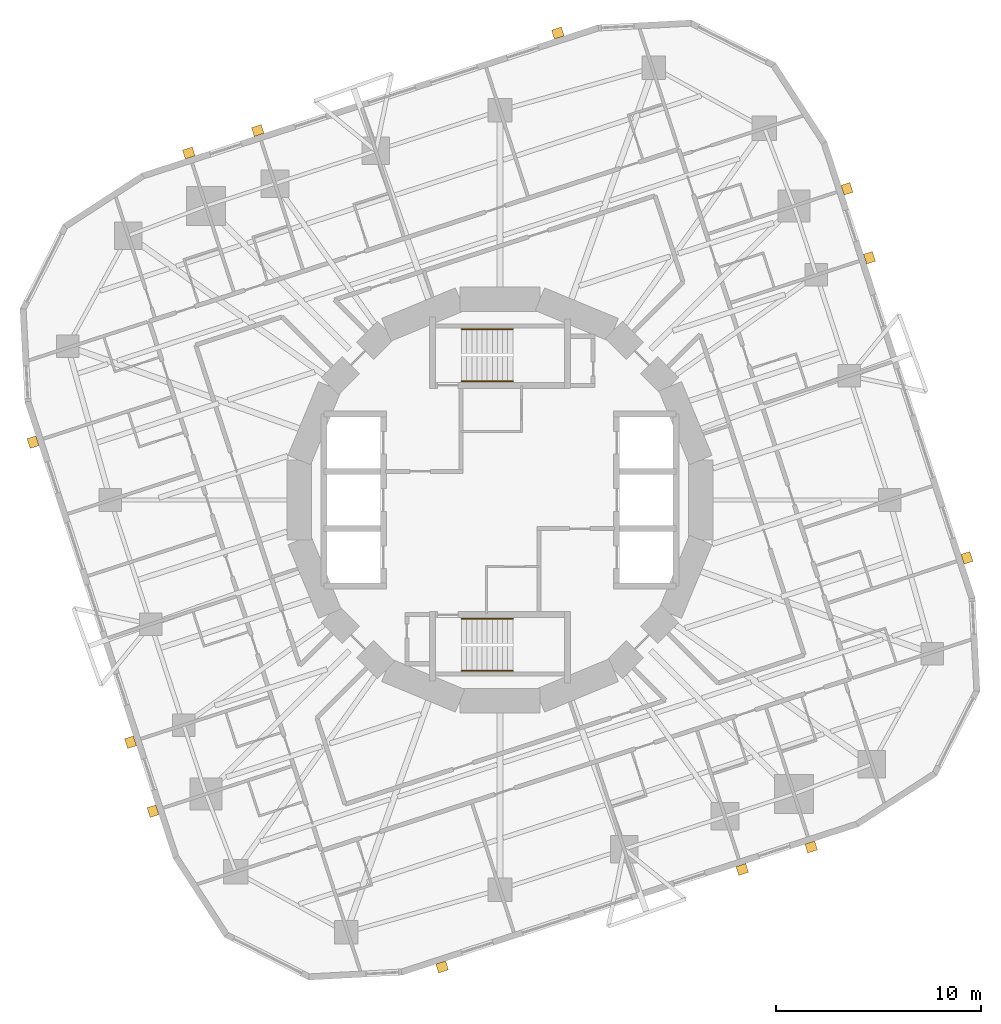
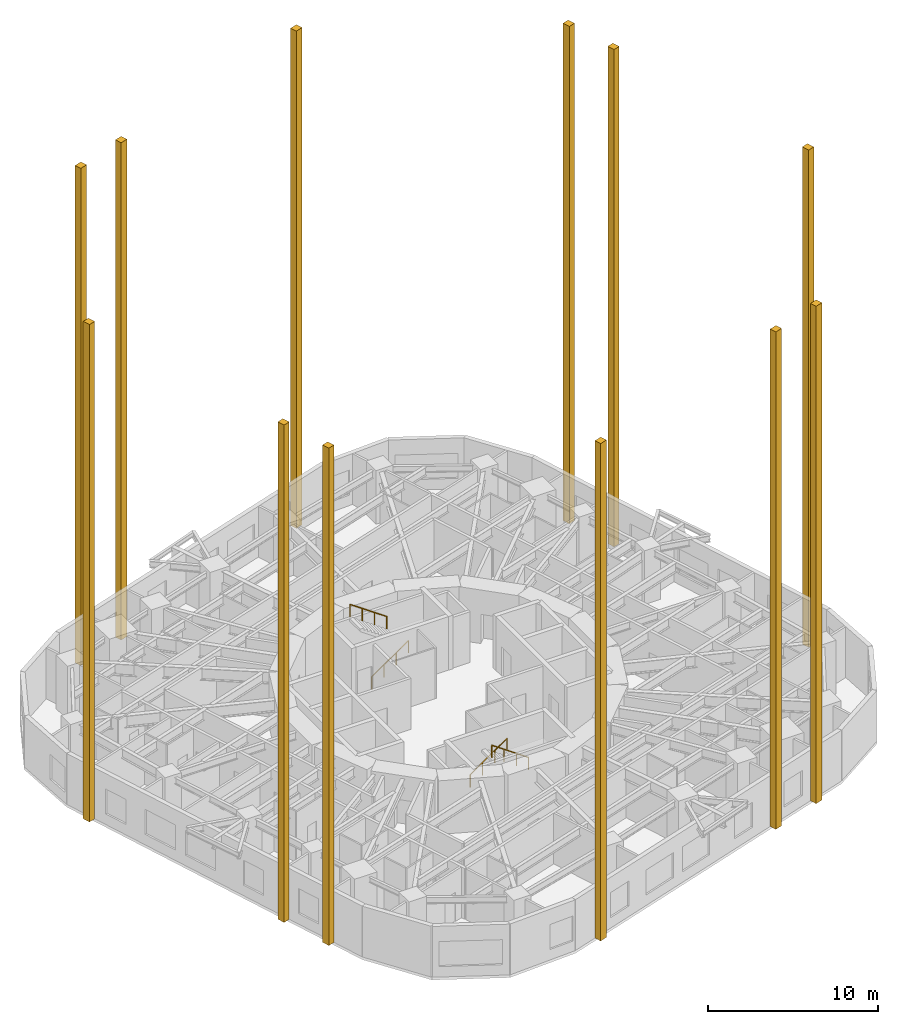
# One storey, part 10 of 10: 12 coverings, 4 railings.
"""IFC4 building model written with IfcOpenShell, lengths in metres."""

import ifcopenshell
import ifcopenshell.guid

model = None  # the IFC model being written
_history = None  # IfcOwnerHistory: only IFC2X3 demands one
_inside = {}  # id of a spatial element -> (the spatial element, [elements in it])
_under = {}  # id of a project, library or spatial element -> (it, [spatial elements below it])
_declared = {}  # id of a project -> (the project, [libraries it declares])
_typed = {}  # id of a type object -> (the type object, [elements of that type])
_made_of = {}  # id of a material, layer set ... -> (it, [elements and type objects made of it])


def new_model(schema):
    """Start an empty IFC model of exactly this schema.

    Asked for "IFC4X3", IfcOpenShell would pick the latest addendum, in which some entities
    have other attributes; the version numbers below select the first issue.
    IFC2X3 requires an IfcOwnerHistory on every rooted entity: one is made here for all.
    """
    global model, _history
    if schema == "IFC4X3":
        model = ifcopenshell.file(schema_version=(4, 3, 0, 0))
    else:
        model = ifcopenshell.file(schema=schema)
    _inside.clear()
    _under.clear()
    _declared.clear()
    _typed.clear()
    _made_of.clear()
    _history = None
    if model.schema == "IFC2X3":
        org = make("IfcOrganization", Name="unknown")
        user = make(
            "IfcPersonAndOrganization",
            ThePerson=make("IfcPerson", FamilyName="unknown"),
            TheOrganization=org,
        )
        app = make(
            "IfcApplication",
            ApplicationDeveloper=org,
            Version="unknown",
            ApplicationFullName="unknown",
            ApplicationIdentifier="unknown",
        )
        _history = make(
            "IfcOwnerHistory",
            OwningUser=user,
            OwningApplication=app,
            ChangeAction="ADDED",
            CreationDate=0,
        )
    return model


def make(cls, **values):
    """One entity of the class cls with the attributes given. An attribute that is None is left unset."""
    return model.create_entity(
        cls, **{name: value for name, value in values.items() if value is not None}
    )


def rooted(cls, **values):
    """An entity with a GlobalId (a new one), such as an element, a storey or a relation."""
    return make(cls, GlobalId=ifcopenshell.guid.new(), OwnerHistory=_history, **values)


def si_unit(unit_type, name, prefix=None):
    """IfcSIUnit, for example si_unit("LENGTHUNIT", "METRE", prefix="MILLI")."""
    return make("IfcSIUnit", UnitType=unit_type, Prefix=prefix, Name=name)


def assignment(units):
    """IfcUnitAssignment: the units of a project."""
    return None if units is None else make("IfcUnitAssignment", Units=units)


def point(xyz):
    """IfcCartesianPoint."""
    return None if xyz is None else make("IfcCartesianPoint", Coordinates=xyz)


def direction(xyz):
    """IfcDirection."""
    return None if xyz is None else make("IfcDirection", DirectionRatios=xyz)


def frame(location, z_axis=None, x_axis=None):
    """IfcAxis2Placement3D, a coordinate frame: its origin and axes. An axis left out is left unset."""
    return make(
        "IfcAxis2Placement3D",
        Location=point(location),
        Axis=direction(z_axis),
        RefDirection=direction(x_axis),
    )


def frame_2d(location, x_axis=None):
    """IfcAxis2Placement2D, a coordinate frame in the plane: its origin and x axis."""
    return make(
        "IfcAxis2Placement2D", Location=point(location), RefDirection=direction(x_axis)
    )


def origin():
    """The frame at (0, 0, 0) with its axes left unset."""
    return frame((0.0, 0.0, 0.0))


def origin_2d():
    """The frame at (0, 0) in the plane with its x axis left unset."""
    return frame_2d((0.0, 0.0))


def place(relative_to, where):
    """IfcLocalPlacement: puts the frame where relative to a parent placement (None: the world)."""
    return make(
        "IfcLocalPlacement", PlacementRelTo=relative_to, RelativePlacement=where
    )


def context(
    kind, dimensions, precision=None, world=None, true_north=None, identifier=None
):
    """IfcGeometricRepresentationContext, for example the 3D "Model" context."""
    return make(
        "IfcGeometricRepresentationContext",
        ContextIdentifier=identifier,
        ContextType=kind,
        CoordinateSpaceDimension=dimensions,
        Precision=precision,
        WorldCoordinateSystem=world,
        TrueNorth=true_north,
    )


def subcontext(parent, identifier, kind, view, scale=None):
    """IfcGeometricRepresentationSubContext, for example "Body" below "Model"."""
    return make(
        "IfcGeometricRepresentationSubContext",
        ContextIdentifier=identifier,
        ContextType=kind,
        ParentContext=parent,
        TargetScale=scale,
        TargetView=view,
    )


def project(units=None, contexts=None):
    """IfcProject with its units and contexts."""
    return rooted(
        "IfcProject",
        Name="project",
        RepresentationContexts=contexts,
        UnitsInContext=assignment(units),
    )


def spatial(cls, under=None, at=None, **own):
    """A site, building, storey or space (cls), placed at a placement, below another one or the project."""
    s = rooted(cls, ObjectPlacement=at, **own)
    if under is not None:
        _under.setdefault(under.id(), (under, []))[1].append(s)
    return s


def profile(cls, at=None, kind="AREA", **sizes):
    """A parametric profile (cls). Its sizes go by their IFC names, for example OverallWidth=200.0."""
    return make(cls, ProfileType=kind, Position=at, **sizes)


def rectangle(**sizes):
    """IfcRectangleProfileDef."""
    return profile("IfcRectangleProfileDef", **sizes)


def circle(**sizes):
    """IfcCircleProfileDef."""
    return profile("IfcCircleProfileDef", **sizes)


def extrude(swept, where, along, depth):
    """IfcExtrudedAreaSolid: the profile swept, set in the frame where, extruded along a direction by depth."""
    return make(
        "IfcExtrudedAreaSolid",
        SweptArea=swept,
        Position=where,
        ExtrudedDirection=direction(along),
        Depth=depth,
    )


def shape(context_of_items, identifier, shape_type, items):
    """IfcShapeRepresentation: the items that make up one representation, for example the "Body"."""
    return make(
        "IfcShapeRepresentation",
        ContextOfItems=context_of_items,
        RepresentationIdentifier=identifier,
        RepresentationType=shape_type,
        Items=items,
    )


def material(Name=None, Category=None):
    """IfcMaterial."""
    return make("IfcMaterial", Name=Name, Category=Category)


def layer(
    of_material, thickness, ventilated=None, Name=None, Category=None, Priority=None
):
    """IfcMaterialLayer: one layer of a wall or slab, of a material (None: an air gap)."""
    return make(
        "IfcMaterialLayer",
        Material=of_material,
        LayerThickness=thickness,
        IsVentilated=ventilated,
        Name=Name,
        Category=Category,
        Priority=Priority,
    )


def layer_set(layers, Name=None):
    """IfcMaterialLayerSet."""
    return make("IfcMaterialLayerSet", MaterialLayers=layers, LayerSetName=Name)


def made_of(thing, what):
    """Note that an element or type object is made of a material, layer set ...; save() writes the relation."""
    if what is not None:
        _made_of.setdefault(what.id(), (what, []))[1].append(thing)
    return thing


def type_object(cls, material=None, **own):
    """A type object (cls), such as IfcWallType, which elements share."""
    return made_of(rooted(cls, **own), material)


def element(
    cls,
    number,
    at=None,
    inside=None,
    cuts=None,
    type_object=None,
    material=None,
    context=None,
    identifier="Body",
    shape_type=None,
    held_by="IfcProductDefinitionShape",
    body=None,
    shapes=None,
    **own,
):
    """One element of the class cls, such as IfcWall. Its Tag is "e" and its number.

    at: its placement. inside: the storey or other place that contains it. cuts: it is an
    opening in that element (IfcRelVoidsElement). A single representation is given by context,
    identifier, shape_type and body (its items); several are given by shapes. held_by: the class
    of the entity that holds the representations. save() writes the other relations.
    """
    e = rooted(cls, Tag="e%d" % number, ObjectPlacement=at, **own)
    if body is not None:
        shapes = [shape(context, identifier, shape_type, body)]
    if shapes is not None:
        e.Representation = make(held_by, Representations=shapes)
    if inside is not None:
        _inside.setdefault(inside.id(), (inside, []))[1].append(e)
    if cuts is not None:
        rooted(
            "IfcRelVoidsElement", RelatingBuildingElement=cuts, RelatedOpeningElement=e
        )
    if type_object is not None:
        _typed.setdefault(type_object.id(), (type_object, []))[1].append(e)
    return made_of(e, material)


def aggregate(whole, parts):
    """IfcRelAggregates: a whole, such as a stair, and the parts it consists of."""
    return rooted("IfcRelAggregates", RelatingObject=whole, RelatedObjects=parts)


def save(model, path):
    """Write the relations noted so far, then the file.

    IfcRelAggregates (storeys below a building ...), IfcRelContainedInSpatialStructure (elements
    in a storey), IfcRelDefinesByType, IfcRelAssociatesMaterial and IfcRelDeclares: one each for
    every whole, place, type object, material and project.
    """
    for whole, parts in _under.values():
        aggregate(whole, parts)
    for where, things in _inside.values():
        rooted(
            "IfcRelContainedInSpatialStructure",
            RelatedElements=things,
            RelatingStructure=where,
        )
    for kind, things in _typed.values():
        rooted("IfcRelDefinesByType", RelatedObjects=things, RelatingType=kind)
    for what, things in _made_of.values():
        rooted("IfcRelAssociatesMaterial", RelatedObjects=things, RelatingMaterial=what)
    for by, libraries in _declared.values():
        rooted("IfcRelDeclares", RelatingContext=by, RelatedDefinitions=libraries)
    model.write(path)


model = new_model("IFC4")

# Units and contexts
model_context = context("Model", 3, precision=1e-05, world=origin(), true_north=direction((0.0, 1.0)))
body_context = subcontext(model_context, "Body", "Model", "MODEL_VIEW")
ifc_project = project(units=[si_unit("LENGTHUNIT", "METRE"), si_unit("AREAUNIT", "SQUARE_METRE"), si_unit("VOLUMEUNIT", "CUBIC_METRE"), si_unit("PLANEANGLEUNIT", "RADIAN"), si_unit("MASSUNIT", "GRAM", prefix="KILO")], contexts=[model_context])

# Site, building, storey
site_placement = place(None, origin())
site = spatial("IfcSite", under=ifc_project, at=site_placement, CompositionType="ELEMENT")
building_placement = place(site_placement, origin())
building = spatial("IfcBuilding", under=site, at=building_placement, Name="Nakasero Lantern House", CompositionType="ELEMENT")
storey_placement = place(building_placement, frame((0.0, 0.0, 141.800048828125)))
storey = spatial("IfcBuildingStorey", under=building, at=storey_placement, Name="L34", CompositionType="ELEMENT", Elevation=141.800048828125)

# Coverings
ifc_material_1 = material(Name="Concrete C40/50 precast", Category="concrete")
ifc_layer = layer(ifc_material_1, 0.449951171875)
ifc_layer_set = layer_set([ifc_layer], Name="Buttress pier 500x450")
covering_type = type_object("IfcCoveringType", Name="Buttress pier 500x450", PredefinedType="CLADDING", material=ifc_layer_set)
for number, where, z_axis, x_axis, name in (
    (1, (22.815673828125, -2.828369140625, 0.0), (0.0, 0.0, 1.0), (0.951056516295, 0.309016994375, 0.0), "Buttress pier B4 0-00"),
    (2, (18.051025390625, 11.83544921875, 0.0), (0.0, 0.0, 1.0), (0.951056516295, 0.309016994375, 0.0), "Buttress pier B4 0-01"),
    (3, (16.955810546875, 15.206298828125, 0.0), (0.0, 0.0, 1.0), (0.951056516295, 0.309016994375, 0.0), "Buttress pier B4 0-02"),
    (4, (2.828369140625, 22.815673828125, 0.0), (0.0, 0.0, 1.0), (-0.309016994375, 0.951056516295, 0.0), "Buttress pier B4 1-00"),
    (5, (-11.83544921875, 18.051025390625, 0.0), (0.0, 0.0, 1.0), (-0.309016994375, 0.951056516295, 0.0), "Buttress pier B4 1-01"),
    (6, (-15.206298828125, 16.955810546875, 0.0), (0.0, 0.0, 1.0), (-0.309016994375, 0.951056516295, 0.0), "Buttress pier B4 1-02"),
    (7, (-22.815673828125, 2.828369140625, 0.0), (0.0, 0.0, 1.0), (-0.951056516295, -0.309016994375, 0.0), "Buttress pier B4 2-00"),
    (8, (-18.051025390625, -11.83544921875, 0.0), (0.0, 0.0, 1.0), (-0.951056516295, -0.309016994375, 0.0), "Buttress pier B4 2-01"),
    (9, (-16.955810546875, -15.206298828125, 0.0), (0.0, 0.0, 1.0), (-0.951056516295, -0.309016994375, 0.0), "Buttress pier B4 2-02"),
    (10, (-2.828369140625, -22.815673828125, 0.0), (0.0, 0.0, 1.0), (0.309016994375, -0.951056516295, 0.0), "Buttress pier B4 3-00"),
    (11, (11.83544921875, -18.051025390625, 0.0), (0.0, 0.0, 1.0), (0.309016994375, -0.951056516295, 0.0), "Buttress pier B4 3-01"),
    (12, (15.206298828125, -16.955810546875, 0.0), (0.0, 0.0, 1.0), (0.309016994375, -0.951056516295, 0.0), "Buttress pier B4 3-02"),
):
    element("IfcCovering", number, at=place(storey_placement, frame(where, z_axis=z_axis, x_axis=x_axis)), inside=storey, type_object=covering_type, Name=name, PredefinedType="CLADDING", context=body_context, shape_type="SweptSolid", body=[
        extrude(rectangle(XDim=0.449951171875, YDim=0.5, at=origin_2d()), origin(), (0.0, 0.0, 1.0), 35.75),
    ])

# Railings
ifc_material_2 = material(Name="Stainless steel 316", Category="steel")
railing_type = type_object("IfcRailingType", Name="Stair handrail 900", PredefinedType="HANDRAIL", material=ifc_material_2)
railing_1_placement = place(storey_placement, frame((-1.875, 5.800048828125, 0.175048828125)))
element("IfcRailing", 13, at=railing_1_placement, inside=storey, type_object=railing_type, Name="Handrail ST1 L34 flight 1", PredefinedType="HANDRAIL", context=body_context, shape_type="SweptSolid", body=[
    extrude(circle(Radius=0.02392578125, at=origin_2d()), frame((0.0, 0.0, 0.8759765625), z_axis=(0.819231920519, 0.0, 0.573462344363), x_axis=(0.0, 1.0, 0.0)), (0.0, 0.0, 1.0), 3.0517578125),
    extrude(circle(Radius=0.02099609375, at=origin_2d()), origin(), (0.0, 0.0, 1.0), 0.851806640625),
    extrude(circle(Radius=0.02099609375, at=origin_2d()), frame((0.833251953125, 0.0, 0.583251953125)), (0.0, 0.0, 1.0), 0.851806640625),
    extrude(circle(Radius=0.02099609375, at=origin_2d()), frame((1.666748046875, 0.0, 1.166748046875)), (0.0, 0.0, 1.0), 0.851806640625),
    extrude(circle(Radius=0.02099609375, at=origin_2d()), frame((2.5, 0.0, 1.75)), (0.0, 0.0, 1.0), 0.851806640625),
])
railing_2_placement = place(storey_placement, frame((0.625, 8.35009765625, 2.099853515625)))
element("IfcRailing", 14, at=railing_2_placement, inside=storey, type_object=railing_type, Name="Handrail ST1 L34 flight 2", PredefinedType="HANDRAIL", context=body_context, shape_type="SweptSolid", body=[
    extrude(circle(Radius=0.02392578125, at=origin_2d()), frame((0.0, 0.0, 0.8759765625), z_axis=(-0.819231920519, 0.0, 0.573462344363), x_axis=(0.0, -1.0, 0.0)), (0.0, 0.0, 1.0), 3.0517578125),
    extrude(circle(Radius=0.02099609375, at=origin_2d()), origin(), (0.0, 0.0, 1.0), 0.851806640625),
    extrude(circle(Radius=0.02099609375, at=origin_2d()), frame((-0.833251953125, 0.0, 0.583251953125)), (0.0, 0.0, 1.0), 0.851806640625),
    extrude(circle(Radius=0.02099609375, at=origin_2d()), frame((-1.666748046875, 0.0, 1.166748046875)), (0.0, 0.0, 1.0), 0.851806640625),
    extrude(circle(Radius=0.02099609375, at=origin_2d()), frame((-2.5, 0.0, 1.75)), (0.0, 0.0, 1.0), 0.851806640625),
])
railing_3_placement = place(storey_placement, frame((-1.875, -5.800048828125, 0.175048828125)))
element("IfcRailing", 15, at=railing_3_placement, inside=storey, type_object=railing_type, Name="Handrail ST2 L34 flight 1", PredefinedType="HANDRAIL", context=body_context, shape_type="SweptSolid", body=[
    extrude(circle(Radius=0.02392578125, at=origin_2d()), frame((0.0, 0.0, 0.8759765625), z_axis=(0.819231920519, 0.0, 0.573462344363), x_axis=(0.0, 1.0, 0.0)), (0.0, 0.0, 1.0), 3.0517578125),
    extrude(circle(Radius=0.02099609375, at=origin_2d()), origin(), (0.0, 0.0, 1.0), 0.851806640625),
    extrude(circle(Radius=0.02099609375, at=origin_2d()), frame((0.833251953125, 0.0, 0.583251953125)), (0.0, 0.0, 1.0), 0.851806640625),
    extrude(circle(Radius=0.02099609375, at=origin_2d()), frame((1.666748046875, 0.0, 1.166748046875)), (0.0, 0.0, 1.0), 0.851806640625),
    extrude(circle(Radius=0.02099609375, at=origin_2d()), frame((2.5, 0.0, 1.75)), (0.0, 0.0, 1.0), 0.851806640625),
])
railing_4_placement = place(storey_placement, frame((0.625, -8.35009765625, 2.099853515625)))
element("IfcRailing", 16, at=railing_4_placement, inside=storey, type_object=railing_type, Name="Handrail ST2 L34 flight 2", PredefinedType="HANDRAIL", context=body_context, shape_type="SweptSolid", body=[
    extrude(circle(Radius=0.02392578125, at=origin_2d()), frame((0.0, 0.0, 0.8759765625), z_axis=(-0.819231920519, 0.0, 0.573462344363), x_axis=(0.0, -1.0, 0.0)), (0.0, 0.0, 1.0), 3.0517578125),
    extrude(circle(Radius=0.02099609375, at=origin_2d()), origin(), (0.0, 0.0, 1.0), 0.851806640625),
    extrude(circle(Radius=0.02099609375, at=origin_2d()), frame((-0.833251953125, 0.0, 0.583251953125)), (0.0, 0.0, 1.0), 0.851806640625),
    extrude(circle(Radius=0.02099609375, at=origin_2d()), frame((-1.666748046875, 0.0, 1.166748046875)), (0.0, 0.0, 1.0), 0.851806640625),
    extrude(circle(Radius=0.02099609375, at=origin_2d()), frame((-2.5, 0.0, 1.75)), (0.0, 0.0, 1.0), 0.851806640625),
])

save(model, "model.ifc")
